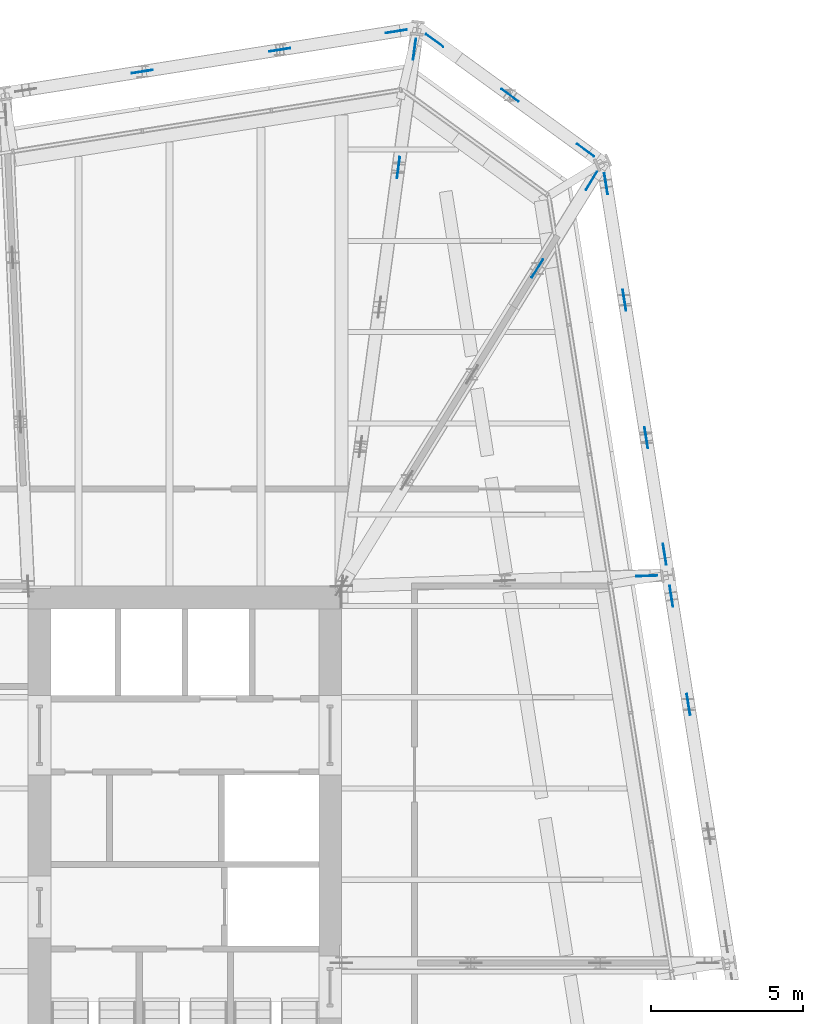
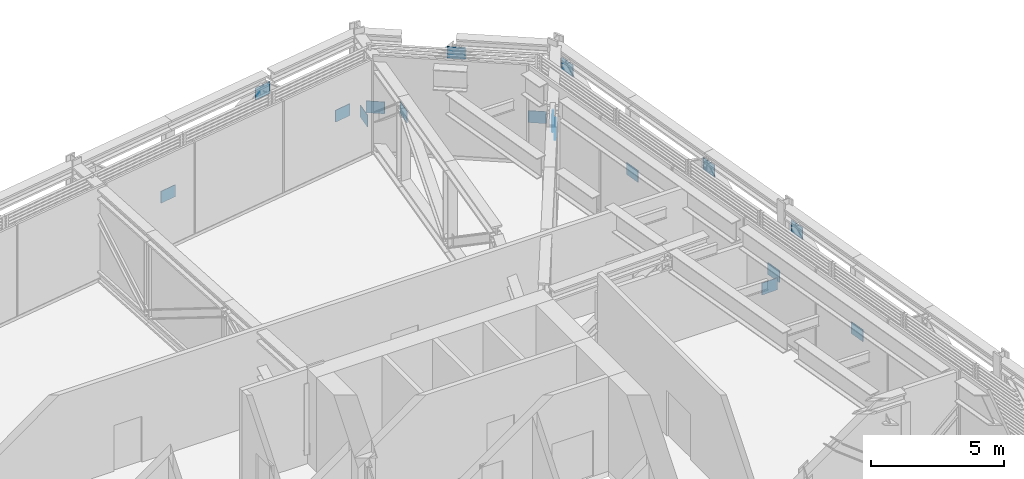
# One storey, part 30 of 31: 17 discrete accessories.
"""IFC4 building model written with IfcOpenShell, lengths in metres."""

from ifc_helpers import new_model, si_unit, direction, frame, origin, origin_2d, place, context, subcontext, project, spatial, rectangle, extrude, material, layer, layer_set, type_object, element, save


model = new_model("IFC4")

# Units and contexts
model_context = context("Model", 3, precision=1e-05, world=origin(), true_north=direction((0.0, 1.0)))
body_context = subcontext(model_context, "Body", "Model", "MODEL_VIEW")
ifc_project = project(units=[si_unit("LENGTHUNIT", "METRE"), si_unit("AREAUNIT", "SQUARE_METRE"), si_unit("VOLUMEUNIT", "CUBIC_METRE"), si_unit("PLANEANGLEUNIT", "RADIAN"), si_unit("MASSUNIT", "GRAM", prefix="KILO")], contexts=[model_context])

# Site, building, storey
site_placement = place(None, origin())
site = spatial("IfcSite", under=ifc_project, at=site_placement, CompositionType="ELEMENT")
building_placement = place(site_placement, origin())
building = spatial("IfcBuilding", under=site, at=building_placement, Name="Millrace Tower", CompositionType="ELEMENT")
storey_placement = place(building_placement, frame((0.0, 0.0, 195.60009765625)))
storey = spatial("IfcBuildingStorey", under=building, at=storey_placement, Name="L44", CompositionType="ELEMENT", Elevation=195.60009765625)

# Discrete accessories
ifc_material = material(Name="Steel ASTM A572 Grade 50", Category="steel")
ifc_layer = layer(ifc_material, 0.02490234375)
ifc_layer_set = layer_set([ifc_layer], Name="Steel ASTM A572 Grade 50")
discrete_accessory_type = type_object("IfcDiscreteAccessoryType", Name="Truss gusset plate 700x550x25", PredefinedType="BRACKET", material=ifc_layer_set)
for number, where, z_axis, x_axis, name in (
    (1, (25.9951171875, 6.1083984375, 0.757568359375), (0.156249124184, -0.987717677878, 0.0), (0.987717677878, 0.156249124184, 0.0), "Truss gusset plate BLT-L44-R07-D02 foot"),
    (2, (25.431884765625, 9.6640625, 3.482421875), (0.156249124184, -0.987717677878, 0.0), (0.987717677878, 0.156249124184, 0.0), "Truss gusset plate BLT-L44-R07-D03 head"),
):
    element("IfcDiscreteAccessory", number, at=place(storey_placement, frame(where, z_axis=z_axis, x_axis=x_axis)), inside=storey, type_object=discrete_accessory_type, Name=name, PredefinedType="BRACKET", context=body_context, shape_type="SweptSolid", body=[
        extrude(rectangle(XDim=0.02490234375, YDim=0.550048828125, at=origin_2d()), origin(), (0.0, 0.0, 1.0), 0.699951171875),
    ])
discrete_accessory_placement = place(storey_placement, frame((25.212890625, 11.046630859375, 0.757568359375), z_axis=(0.156302968239, -0.98770915867, 0.0), x_axis=(0.98770915867, 0.156302968239, 0.0)))
element("IfcDiscreteAccessory", 3, at=discrete_accessory_placement, inside=storey, type_object=discrete_accessory_type, Name="Truss gusset plate BLT-L44-R08-D01 foot", PredefinedType="BRACKET", context=body_context, shape_type="SweptSolid", body=[
    extrude(rectangle(XDim=0.02490234375, YDim=0.550048828125, at=origin_2d()), origin(), (0.0, 0.0, 1.0), 0.69970703125),
])
for number, where, z_axis, x_axis, name in (
    (4, (24.6064453125, 14.875244140625, 3.482421875), (0.156249124184, -0.987717677878, 0.0), (0.987717677878, 0.156249124184, 0.0), "Truss gusset plate BLT-L44-R08-D01 head"),
    (5, (23.890625, 19.39501953125, 0.757568359375), (0.156249124184, -0.987717677878, 0.0), (0.987717677878, 0.156249124184, 0.0), "Truss gusset plate BLT-L44-R08-D02 foot"),
    (6, (23.2841796875, 23.223388671875, 3.482421875), (0.156589351913, -0.987663796475, 0.0), (0.987663796475, 0.156589351913, 0.0), "Truss gusset plate BLT-L44-R08-D03 head"),
    (7, (22.3798828125, 24.186279296875, 0.757568359375), (0.809112951205, -0.587653156371, 0.0), (0.587653156371, 0.809112951205, 0.0), "Truss gusset plate BLT-L44-R09-D01 foot"),
    (8, (19.902099609375, 25.986572265625, 3.482421875), (0.808992462271, -0.587819016355, 0.0), (0.587819016355, 0.808992462271, 0.0), "Truss gusset plate BLT-L44-R09-D01 head"),
    (9, (17.424072265625, 27.786865234375, 0.757568359375), (0.809112951205, -0.587653156371, 0.0), (0.587653156371, 0.809112951205, 0.0), "Truss gusset plate BLT-L44-R09-D02 foot"),
    (10, (16.103759765625, 27.828369140625, 0.757568359375), (0.987663796475, 0.156589351913, 0.0), (-0.156589351913, 0.987663796475, 0.0), "Truss gusset plate BLT-L44-R10-D01 foot"),
    (11, (12.275390625, 27.221923828125, 3.482421875), (0.987663796475, 0.156589351913, 0.0), (-0.156589351913, 0.987663796475, 0.0), "Truss gusset plate BLT-L44-R10-D01 head"),
    (12, (7.755615234375, 26.506103515625, 0.757568359375), (0.987663796475, 0.156589351913, 0.0), (-0.156589351913, 0.987663796475, 0.0), "Truss gusset plate BLT-L44-R10-D02 foot"),
    (13, (24.32763671875, 9.974609375, 0.757568359375), (0.99945069948, 0.03314059911, 0.0), (-0.03314059911, 0.99945069948, 0.0), "Truss gusset plate BLT-L44-O08-D02 foot"),
    (14, (20.90087890625, 19.79150390625, 3.482421875), (0.524972939322, 0.851118918236, 0.0), (-0.851118918236, 0.524972939322, 0.0), "Truss gusset plate BLT-L44-O09-D03 head"),
    (15, (22.678466796875, 22.67529296875, 0.757568359375), (0.524972939322, 0.851118918236, 0.0), (-0.851118918236, 0.524972939322, 0.0), "Truss gusset plate BLT-L44-O09-D04 foot"),
    (16, (16.47119140625, 23.060302734375, 3.482421875), (0.134288205726, 0.990942318101, 0.0), (-0.990942318101, 0.134288205726, 0.0), "Truss gusset plate BLT-L44-O10-D03 head"),
    (17, (16.99951171875, 26.9521484375, 0.757568359375), (0.134630692145, 0.990895845552, 0.0), (-0.990895845552, 0.134630692145, 0.0), "Truss gusset plate BLT-L44-O10-D04 foot"),
):
    element("IfcDiscreteAccessory", number, at=place(storey_placement, frame(where, z_axis=z_axis, x_axis=x_axis)), inside=storey, type_object=discrete_accessory_type, Name=name, PredefinedType="BRACKET", context=body_context, shape_type="SweptSolid", body=[
        extrude(rectangle(XDim=0.02490234375, YDim=0.550048828125, at=origin_2d()), origin(), (0.0, 0.0, 1.0), 0.699951171875),
    ])

save(model, "model.ifc")
